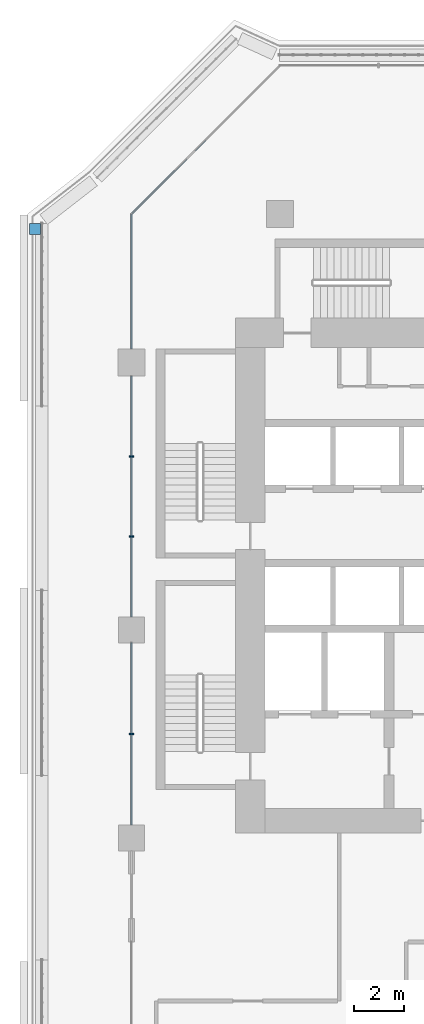
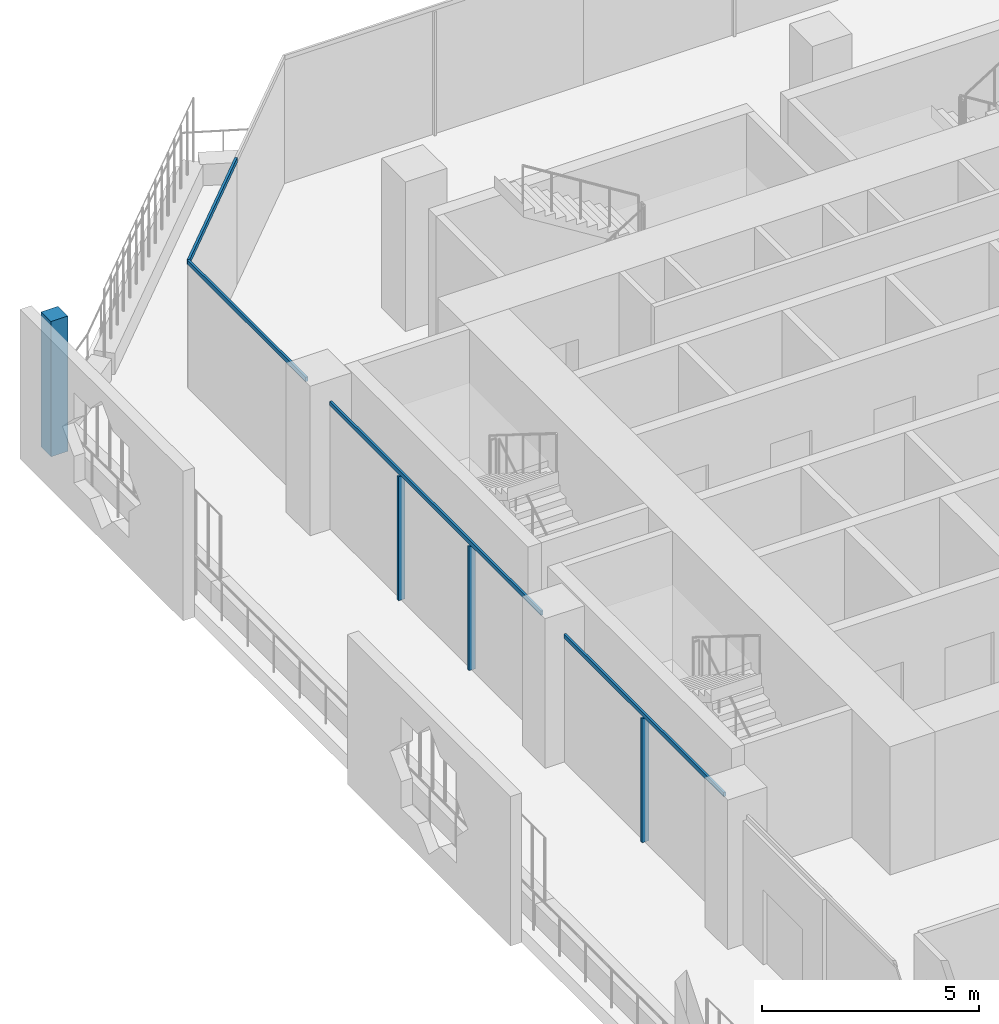
# One storey, part 5 of 25: 8 members, 3 elements without a shape of their own.
"""IFC4 building model written with IfcOpenShell, lengths in metres."""

from ifc_helpers import new_model, si_unit, direction, frame, origin, origin_2d, place, context, subcontext, project, spatial, rectangle, extrude, material, layer, layer_set, material_profile, profile_set, type_object, element, aggregate, save


model = new_model("IFC4")

# Units and contexts
model_context = context("Model", 3, precision=1e-05, world=origin(), true_north=direction((0.0, 1.0)))
body_context = subcontext(model_context, "Body", "Model", "MODEL_VIEW")
ifc_project = project(units=[si_unit("LENGTHUNIT", "METRE"), si_unit("AREAUNIT", "SQUARE_METRE"), si_unit("VOLUMEUNIT", "CUBIC_METRE"), si_unit("PLANEANGLEUNIT", "RADIAN"), si_unit("MASSUNIT", "GRAM", prefix="KILO")], contexts=[model_context])

# Site, building, storey
site_placement = place(None, origin())
site = spatial("IfcSite", under=ifc_project, at=site_placement, CompositionType="ELEMENT")
building_placement = place(site_placement, origin())
building = spatial("IfcBuilding", under=site, at=building_placement, Name="Kawkab Arch Medical Tower", CompositionType="ELEMENT")
storey_placement = place(building_placement, frame((0.0, 0.0, 132.39990234375)))
storey = spatial("IfcBuildingStorey", under=building, at=storey_placement, Name="L30", CompositionType="ELEMENT", Elevation=132.39990234375)

# Curtain wall, members
ifc_material_1 = material(Name="Bronze anodised aluminium curtain wall frame", Category="aluminium")
ifc_layer_1 = layer(ifc_material_1, 0.159912109375)
ifc_layer_set_1 = layer_set([ifc_layer_1], Name="Bronze anodised aluminium curtain wall frame")
curtain_wall_type_1 = type_object("IfcCurtainWallType", Name="CW1 ward curtain wall", PredefinedType="NOTDEFINED", material=ifc_layer_set_1)
placement = place(storey_placement, origin())
curtain_wall_1 = element("IfcCurtainWall", 1, at=placement, inside=storey, type_object=curtain_wall_type_1, Name="CW1 Ward curtain wall R01", PredefinedType="NOTDEFINED")
ifc_material_2 = material(Name="Bronze anodised aluminium curtain wall frame", Category="aluminium")
ifc_material_profile_1 = material_profile(ifc_material_2, rectangle(XDim=0.179931640625, YDim=0.06005859375, at=origin_2d()), Name="AL 60x180")
ifc_profile_set_1 = profile_set([ifc_material_profile_1], Name="Bronze anodised aluminium curtain wall frame")
member_type_1 = type_object("IfcMemberType", Name="CW1 mullion 60 x 180", PredefinedType="MULLION", material=ifc_profile_set_1)
member_1_placement = place(storey_placement, frame((0.0, -9.791748046875, 0.0), z_axis=(0.0, 0.0, 1.0), x_axis=(1.0, 0.0, 0.0)))
member_1 = element("IfcMember", 2, at=member_1_placement, type_object=member_type_1, Name="CW1 mullion 2.1", PredefinedType="MULLION", context=body_context, shape_type="SweptSolid", body=[
    extrude(rectangle(XDim=0.179931640625, YDim=0.06005859375, at=origin_2d()), origin(), (0.0, 0.0, 1.0), 3.47998046875),
])
member_2_placement = place(storey_placement, frame((0.0, -13.033447265625, 0.0), z_axis=(0.0, 0.0, 1.0), x_axis=(1.0, 0.0, 0.0)))
member_2 = element("IfcMember", 3, at=member_2_placement, type_object=member_type_1, Name="CW1 mullion 2.2", PredefinedType="MULLION", context=body_context, shape_type="SweptSolid", body=[
    extrude(rectangle(XDim=0.179931640625, YDim=0.06005859375, at=origin_2d()), origin(), (0.0, 0.0, 1.0), 3.47998046875),
])
member_3_placement = place(storey_placement, frame((0.0, -21.0, 0.0), z_axis=(0.0, 0.0, 1.0), x_axis=(1.0, 0.0, 0.0)))
member_3 = element("IfcMember", 4, at=member_3_placement, type_object=member_type_1, Name="CW1 mullion 3.1", PredefinedType="MULLION", context=body_context, shape_type="SweptSolid", body=[
    extrude(rectangle(XDim=0.179931640625, YDim=0.06005859375, at=origin_2d()), origin(), (0.0, 0.0, 1.0), 3.47998046875),
])
ifc_material_3 = material(Name="Bronze anodised aluminium curtain wall frame", Category="aluminium")
ifc_material_profile_2 = material_profile(ifc_material_3, rectangle(XDim=0.06005859375, YDim=0.1201171875, at=origin_2d()), Name="AL 60x120")
ifc_profile_set_2 = profile_set([ifc_material_profile_2], Name="Bronze anodised aluminium curtain wall frame")
member_type_2 = type_object("IfcMemberType", Name="CW1 transom 120 x 60", PredefinedType="USERDEFINED", material=ifc_profile_set_2)
member_4_placement = place(storey_placement, frame((0.0, 0.0, 3.5400390625), z_axis=(0.0, -1.0, 0.0), x_axis=(1.0, 0.0, 0.0)))
member_4 = element("IfcMember", 5, at=member_4_placement, type_object=member_type_2, Name="CW1 transom 1", ObjectType="TRANSOM", PredefinedType="USERDEFINED", context=body_context, shape_type="SweptSolid", body=[
    extrude(rectangle(XDim=0.06005859375, YDim=0.1201171875, at=origin_2d()), origin(), (0.0, 0.0, 1.0), 5.449951171875),
])
member_5_placement = place(storey_placement, frame((0.0, -6.550048828125, 3.5400390625), z_axis=(0.0, -1.0, 0.0), x_axis=(1.0, 0.0, 0.0)))
member_5 = element("IfcMember", 6, at=member_5_placement, type_object=member_type_2, Name="CW1 transom 2", ObjectType="TRANSOM", PredefinedType="USERDEFINED", context=body_context, shape_type="SweptSolid", body=[
    extrude(rectangle(XDim=0.06005859375, YDim=0.1201171875, at=origin_2d()), origin(), (0.0, 0.0, 1.0), 9.724853515625),
])
member_6_placement = place(storey_placement, frame((0.0, -17.324951171875, 3.5400390625), z_axis=(0.0, -1.0, 0.0), x_axis=(1.0, 0.0, 0.0)))
member_6 = element("IfcMember", 7, at=member_6_placement, type_object=member_type_2, Name="CW1 transom 3", ObjectType="TRANSOM", PredefinedType="USERDEFINED", context=body_context, shape_type="SweptSolid", body=[
    extrude(rectangle(XDim=0.06005859375, YDim=0.1201171875, at=origin_2d()), origin(), (0.0, 0.0, 1.0), 7.35009765625),
])
aggregate(curtain_wall_1, [member_4, member_5, member_1, member_2, member_6, member_3])

# Curtain wall, member
ifc_material_4 = material(Name="Bronze anodised aluminium curtain wall frame", Category="aluminium")
ifc_layer_2 = layer(ifc_material_4, 0.159912109375)
ifc_layer_set_2 = layer_set([ifc_layer_2], Name="Bronze anodised aluminium curtain wall frame")
curtain_wall_type_2 = type_object("IfcCurtainWallType", Name="CW2 chamfer curtain wall", PredefinedType="NOTDEFINED", material=ifc_layer_set_2)
curtain_wall_2 = element("IfcCurtainWall", 8, at=placement, inside=storey, type_object=curtain_wall_type_2, Name="CW2 Chamfer curtain wall R12", PredefinedType="NOTDEFINED")
ifc_material_5 = material(Name="Bronze anodised aluminium curtain wall frame", Category="aluminium")
ifc_material_profile_3 = material_profile(ifc_material_5, rectangle(XDim=0.06005859375, YDim=0.139892578125, at=origin_2d()), Name="AL 60x140")
ifc_profile_set_3 = profile_set([ifc_material_profile_3], Name="Bronze anodised aluminium curtain wall frame")
member_type_3 = type_object("IfcMemberType", Name="CW2 transom 140 x 60", PredefinedType="USERDEFINED", material=ifc_profile_set_3)
member_7_placement = place(storey_placement, frame((3.0, 3.0, 3.530029296875), z_axis=(-0.707106781187, -0.707106781187, 0.0), x_axis=(0.707106781187, -0.707106781187, 0.0)))
member_7 = element("IfcMember", 9, at=member_7_placement, type_object=member_type_3, Name="CW2 transom 2", ObjectType="TRANSOM", PredefinedType="USERDEFINED", context=body_context, shape_type="SweptSolid", body=[
    extrude(rectangle(XDim=0.06005859375, YDim=0.139892578125, at=origin_2d()), origin(), (0.0, 0.0, 1.0), 4.24267578125),
])
aggregate(curtain_wall_2, [member_7])

ifc_material_6 = material(Name="Bronze anodised aluminium climber frame, planted", Category="aluminium")
ifc_layer_3 = layer(ifc_material_6, 0.449951171875)
ifc_layer_set_3 = layer_set([ifc_layer_3], Name="Bronze anodised aluminium climber frame, planted")
curtain_wall_type_3 = type_object("IfcCurtainWallType", Name="Planted climber frame", PredefinedType="NOTDEFINED", material=ifc_layer_set_3)
curtain_wall_3 = element("IfcCurtainWall", 10, at=placement, inside=storey, type_object=curtain_wall_type_3, Name="Planted climber frame L30", PredefinedType="NOTDEFINED")
ifc_material_7 = material(Name="Bronze anodised aluminium climber frame, planted", Category="aluminium")
ifc_material_profile_4 = material_profile(ifc_material_7, rectangle(XDim=0.449951171875, YDim=0.449951171875, at=origin_2d()), Name="Post 450x450")
ifc_profile_set_4 = profile_set([ifc_material_profile_4], Name="Bronze anodised aluminium climber frame, planted")
member_type_4 = type_object("IfcMemberType", Name="Planted climber post 450 x 450", PredefinedType="MULLION", material=ifc_profile_set_4)
member_8_placement = place(storey_placement, frame((-3.89990234375, -0.596923828125, 0.0), z_axis=(0.0, 0.0, 1.0), x_axis=(1.0, 0.0, 0.0)))
member_8 = element("IfcMember", 11, at=member_8_placement, type_object=member_type_4, Name="Planted climber post L30.LOG-01-01.2", PredefinedType="MULLION", context=body_context, shape_type="SweptSolid", body=[
    extrude(rectangle(XDim=0.449951171875, YDim=0.449951171875, at=origin_2d()), origin(), (0.0, 0.0, 1.0), 3.800048828125),
])
aggregate(curtain_wall_3, [member_8])

save(model, "model.ifc")
